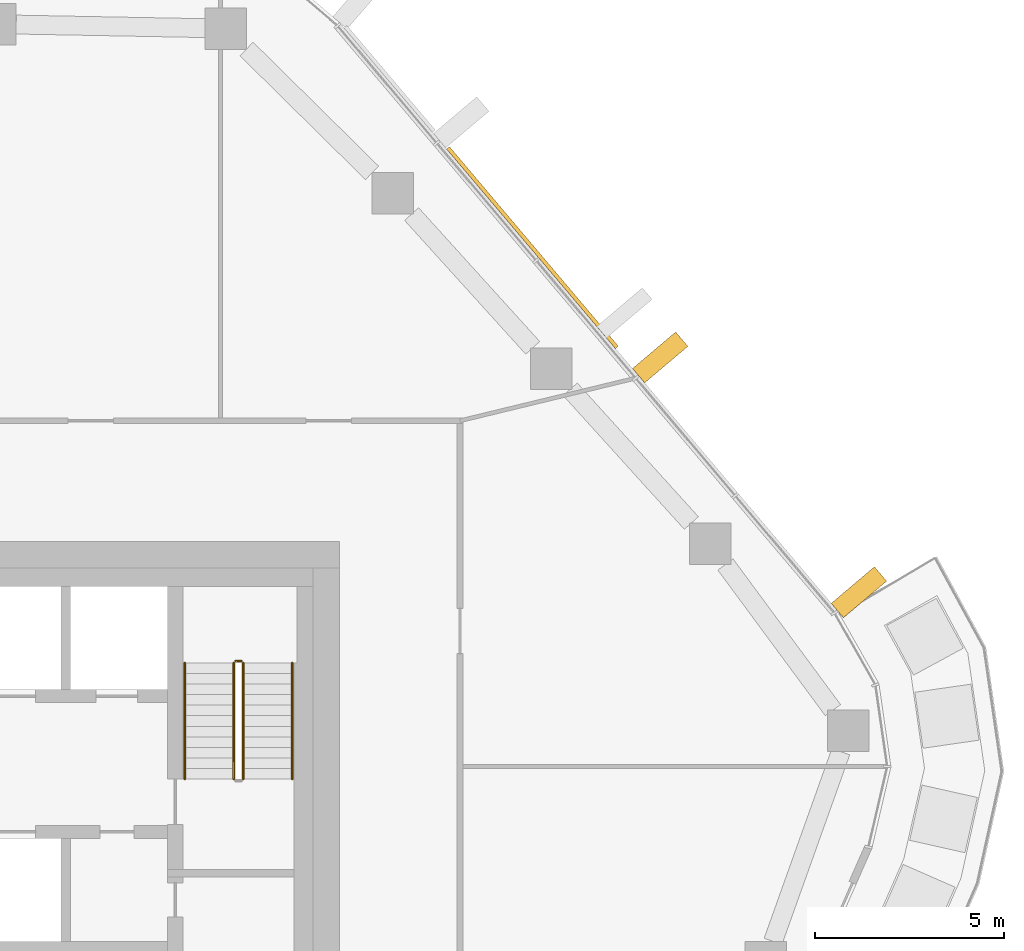
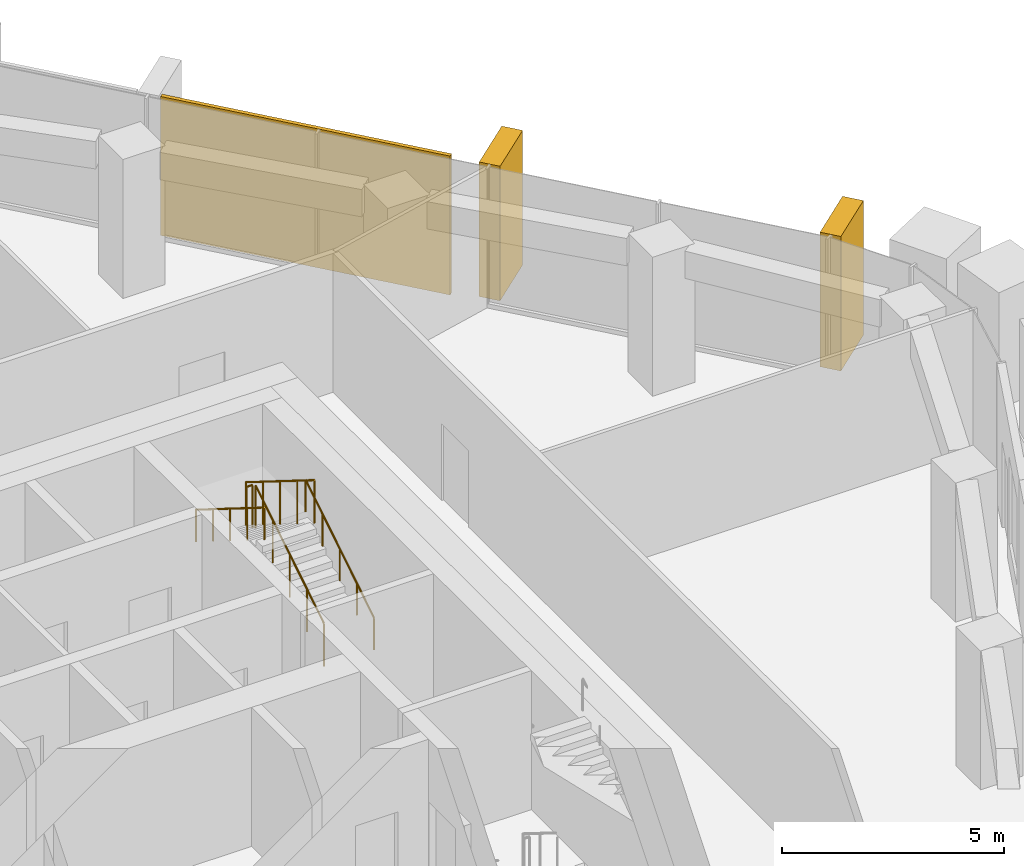
# One storey, part 20 of 21: 5 railings, 3 coverings, 1 element without a shape of its own.
"""IFC4 building model written with IfcOpenShell, lengths in metres."""

from ifc_helpers import new_model, si_unit, direction, frame, origin, origin_2d, place, context, subcontext, project, spatial, rectangle, circle, extrude, material, layer, layer_set, material_profile, profile_set, type_object, element, aggregate, save


model = new_model("IFC4")

# Units and contexts
model_context = context("Model", 3, precision=1e-05, world=origin(), true_north=direction((0.0, 1.0)))
body_context = subcontext(model_context, "Body", "Model", "MODEL_VIEW")
ifc_project = project(units=[si_unit("LENGTHUNIT", "METRE"), si_unit("AREAUNIT", "SQUARE_METRE"), si_unit("VOLUMEUNIT", "CUBIC_METRE"), si_unit("PLANEANGLEUNIT", "RADIAN"), si_unit("MASSUNIT", "GRAM", prefix="KILO")], contexts=[model_context])

# Site, building, storey
site_placement = place(None, origin())
site = spatial("IfcSite", under=ifc_project, at=site_placement, CompositionType="ELEMENT")
building_placement = place(site_placement, origin())
building = spatial("IfcBuilding", under=site, at=building_placement, Name="Dongbaek Canopy Tower", CompositionType="ELEMENT")
storey_placement = place(building_placement, frame((0.0, 0.0, 274.800048828125)))
storey = spatial("IfcBuildingStorey", under=building, at=storey_placement, Name="L58", CompositionType="ELEMENT", Elevation=274.800048828125)

# Curtain wall, coverings
ifc_material_1 = material(Name="Aluminium 6063-T6 pale anodised", Category="aluminium")
ifc_layer_1 = layer(ifc_material_1, 0.199951171875)
ifc_layer_set_1 = layer_set([ifc_layer_1], Name="CW-1 unitised tower curtain wall")
curtain_wall_type = type_object("IfcCurtainWallType", Name="CW-1 unitised tower curtain wall", PredefinedType="NOTDEFINED", material=ifc_layer_set_1)
curtain_wall_placement = place(storey_placement, origin())
curtain_wall = element("IfcCurtainWall", 1, at=curtain_wall_placement, inside=storey, type_object=curtain_wall_type, Name="CW-1 curtain wall F0.1", PredefinedType="NOTDEFINED")
ifc_material_2 = material(Name="Perforated aluminium 6063-T6 pale metal screen", Category="aluminium")
ifc_layer_2 = layer(ifc_material_2, 0.10009765625)
ifc_layer_set_2 = layer_set([ifc_layer_2], Name="Facet screen FS1 100 pale metal")
covering_type_1 = type_object("IfcCoveringType", Name="Facet screen FS1 100 pale metal", PredefinedType="CLADDING", material=ifc_layer_set_2)
covering_1_placement = place(storey_placement, frame((19.1201171875, 18.79052734375, 0.0), z_axis=(0.0, 0.0, 1.0), x_axis=(-0.6460547082, 0.763291106991, 0.0)))
covering_1 = element("IfcCovering", 2, at=covering_1_placement, type_object=covering_type_1, Name="Facet screen L58 F0", PredefinedType="CLADDING", context=body_context, shape_type="SweptSolid", body=[
    extrude(rectangle(XDim=6.928955078125, YDim=0.10009765625, at=origin_2d()), origin(), (0.0, 0.0, 1.0), 3.820068359375),
])
ifc_material_3 = material(Name="Aluminium 6063-T6 pale metal fin", Category="aluminium")
ifc_material_profile = material_profile(ifc_material_3, rectangle(XDim=1.5, YDim=0.5, at=origin_2d()), Name="Fin FN1 500 x 1500 pale metal")
ifc_profile_set = profile_set([ifc_material_profile], Name="Aluminium 6063-T6 pale metal fin")
covering_type_2 = type_object("IfcCoveringType", Name="Fin FN1 500 x 1500 pale metal", PredefinedType="CLADDING", material=ifc_profile_set)
covering_2_placement = place(storey_placement, frame((27.77587890625, 9.65380859375, 0.119873046875), z_axis=(0.0, 0.0, 1.0), x_axis=(0.763290756517, 0.646055122273, 0.0)))
covering_2 = element("IfcCovering", 3, at=covering_2_placement, type_object=covering_type_2, Name="Fin F0.1.1", PredefinedType="CLADDING", context=body_context, shape_type="SweptSolid", body=[
    extrude(rectangle(XDim=1.5, YDim=0.5, at=origin_2d()), origin(), (0.0, 0.0, 1.0), 3.7001953125),
])
covering_3_placement = place(storey_placement, frame((22.5068359375, 15.87890625, 0.119873046875), z_axis=(0.0, 0.0, 1.0), x_axis=(0.763290756517, 0.646055122273, 0.0)))
covering_3 = element("IfcCovering", 4, at=covering_3_placement, type_object=covering_type_2, Name="Fin F0.1.3", PredefinedType="CLADDING", context=body_context, shape_type="SweptSolid", body=[
    extrude(rectangle(XDim=1.5, YDim=0.5, at=origin_2d()), origin(), (0.0, 0.0, 1.0), 3.7001953125),
])
aggregate(curtain_wall, [covering_2, covering_3, covering_1])

# Railings
ifc_material_4 = material(Name="Stainless steel tube and balusters", Category="steel")
railing_type_1 = type_object("IfcRailingType", Name="Stair guard 1200", PredefinedType="GUARDRAIL", material=ifc_material_4)
railing_1_placement = place(storey_placement, frame((11.449951171875, 4.699951171875, 0.175048828125)))
element("IfcRailing", 5, at=railing_1_placement, inside=storey, type_object=railing_type_1, Name="L58 ST-A stair guard 1", PredefinedType="GUARDRAIL", context=body_context, shape_type="SweptSolid", body=[
    extrude(circle(Radius=0.02392578125, at=origin_2d()), frame((0.0, 0.0, 1.17578125), z_axis=(0.0, 0.848028513186, 0.529950602248), x_axis=(-1.0, 0.0, 0.0)), (0.0, 0.0, 1.0), 3.632080078125),
    extrude(circle(Radius=0.02099609375, at=origin_2d()), origin(), (0.0, 0.0, 1.0), 1.15185546875),
    extrude(circle(Radius=0.02099609375, at=origin_2d()), frame((0.0, 0.77001953125, 0.481201171875)), (0.0, 0.0, 1.0), 1.15185546875),
    extrude(circle(Radius=0.02099609375, at=origin_2d()), frame((0.0, 1.5400390625, 0.96240234375)), (0.0, 0.0, 1.0), 1.15185546875),
    extrude(circle(Radius=0.02099609375, at=origin_2d()), frame((0.0, 2.31005859375, 1.443603515625)), (0.0, 0.0, 1.0), 1.15185546875),
    extrude(circle(Radius=0.02099609375, at=origin_2d()), frame((0.0, 3.080078125, 1.9248046875)), (0.0, 0.0, 1.0), 1.15185546875),
])
railing_2_placement = place(storey_placement, frame((11.39990234375, 7.830078125, 2.099853515625)))
element("IfcRailing", 6, at=railing_2_placement, inside=storey, type_object=railing_type_1, Name="L58 ST-A stair guard 2", PredefinedType="GUARDRAIL", context=body_context, shape_type="SweptSolid", body=[
    extrude(circle(Radius=0.02392578125, at=origin_2d()), frame((0.0, 0.0, 1.17578125), z_axis=(-1.0, 0.0, 0.0), x_axis=(0.0, -1.0, 0.0)), (0.0, 0.0, 1.0), 0.14990234375),
    extrude(circle(Radius=0.02099609375, at=origin_2d()), origin(), (0.0, 0.0, 1.0), 1.15185546875),
    extrude(circle(Radius=0.02099609375, at=origin_2d()), frame((-0.14990234375, 0.0, 0.0)), (0.0, 0.0, 1.0), 1.15185546875),
])
railing_3_placement = place(storey_placement, frame((11.199951171875, 7.780029296875, 2.27490234375)))
element("IfcRailing", 7, at=railing_3_placement, inside=storey, type_object=railing_type_1, Name="L58 ST-A stair guard 3", PredefinedType="GUARDRAIL", context=body_context, shape_type="SweptSolid", body=[
    extrude(circle(Radius=0.02392578125, at=origin_2d()), frame((0.0, 0.0, 1.17578125), z_axis=(0.0, -0.847998304005, 0.529998940003), x_axis=(1.0, 0.0, 0.0)), (0.0, 0.0, 1.0), 3.632080078125),
    extrude(circle(Radius=0.02099609375, at=origin_2d()), origin(), (0.0, 0.0, 1.0), 1.15185546875),
    extrude(circle(Radius=0.02099609375, at=origin_2d()), frame((0.0, -0.77001953125, 0.481201171875)), (0.0, 0.0, 1.0), 1.15185546875),
    extrude(circle(Radius=0.02099609375, at=origin_2d()), frame((0.0, -1.5400390625, 0.96240234375)), (0.0, 0.0, 1.0), 1.15185546875),
    extrude(circle(Radius=0.02099609375, at=origin_2d()), frame((0.0, -2.31005859375, 1.44384765625)), (0.0, 0.0, 1.0), 1.15185546875),
    extrude(circle(Radius=0.02099609375, at=origin_2d()), frame((0.0, -3.080078125, 1.925048828125)), (0.0, 0.0, 1.0), 1.15185546875),
])
ifc_material_5 = material(Name="Stainless steel tube", Category="steel")
railing_type_2 = type_object("IfcRailingType", Name="Stair handrail 900", PredefinedType="HANDRAIL", material=ifc_material_5)
railing_4_placement = place(storey_placement, frame((12.75, 4.699951171875, 0.175048828125)))
element("IfcRailing", 8, at=railing_4_placement, inside=storey, type_object=railing_type_2, Name="L58 ST-A stair handrail 1", PredefinedType="HANDRAIL", context=body_context, shape_type="SweptSolid", body=[
    extrude(circle(Radius=0.02392578125, at=origin_2d()), frame((0.0, 0.0, 0.8759765625), z_axis=(0.0, 0.848028513186, 0.529950602248), x_axis=(-1.0, 0.0, 0.0)), (0.0, 0.0, 1.0), 3.632080078125),
    extrude(circle(Radius=0.02099609375, at=origin_2d()), origin(), (0.0, 0.0, 1.0), 0.851806640625),
    extrude(circle(Radius=0.02099609375, at=origin_2d()), frame((0.0, 0.77001953125, 0.481201171875)), (0.0, 0.0, 1.0), 0.851806640625),
    extrude(circle(Radius=0.02099609375, at=origin_2d()), frame((0.0, 1.5400390625, 0.96240234375)), (0.0, 0.0, 1.0), 0.851806640625),
    extrude(circle(Radius=0.02099609375, at=origin_2d()), frame((0.0, 2.31005859375, 1.443603515625)), (0.0, 0.0, 1.0), 0.851806640625),
    extrude(circle(Radius=0.02099609375, at=origin_2d()), frame((0.0, 3.080078125, 1.9248046875)), (0.0, 0.0, 1.0), 0.851806640625),
])
railing_5_placement = place(storey_placement, frame((9.89990234375, 7.780029296875, 2.27490234375)))
element("IfcRailing", 9, at=railing_5_placement, inside=storey, type_object=railing_type_2, Name="L58 ST-A stair handrail 2", PredefinedType="HANDRAIL", context=body_context, shape_type="SweptSolid", body=[
    extrude(circle(Radius=0.02392578125, at=origin_2d()), frame((0.0, 0.0, 0.8759765625), z_axis=(0.0, -0.847998304005, 0.529998940003), x_axis=(1.0, 0.0, 0.0)), (0.0, 0.0, 1.0), 3.632080078125),
    extrude(circle(Radius=0.02099609375, at=origin_2d()), origin(), (0.0, 0.0, 1.0), 0.851806640625),
    extrude(circle(Radius=0.02099609375, at=origin_2d()), frame((0.0, -0.77001953125, 0.481201171875)), (0.0, 0.0, 1.0), 0.851806640625),
    extrude(circle(Radius=0.02099609375, at=origin_2d()), frame((0.0, -1.5400390625, 0.96240234375)), (0.0, 0.0, 1.0), 0.851806640625),
    extrude(circle(Radius=0.02099609375, at=origin_2d()), frame((0.0, -2.31005859375, 1.44384765625)), (0.0, 0.0, 1.0), 0.851806640625),
    extrude(circle(Radius=0.02099609375, at=origin_2d()), frame((0.0, -3.080078125, 1.925048828125)), (0.0, 0.0, 1.0), 0.851806640625),
])

save(model, "model.ifc")
